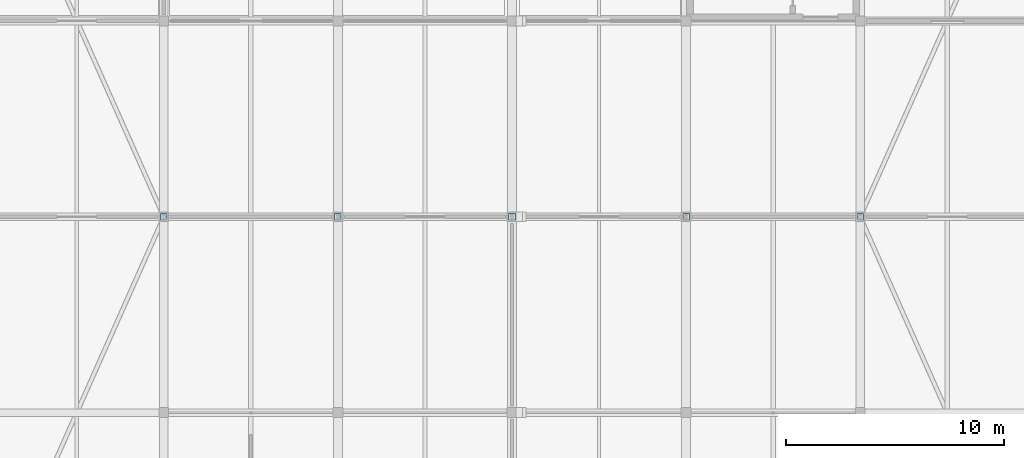
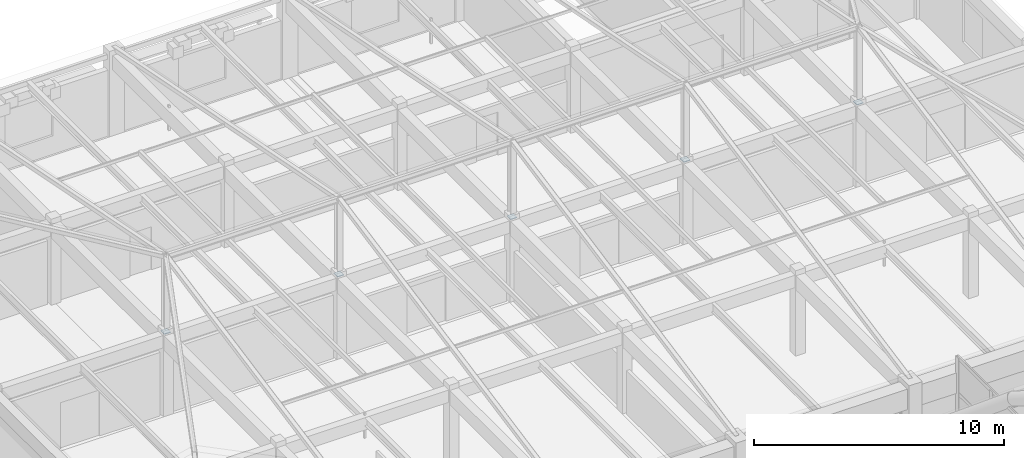
# One storey, part 94 of 126: 5 plates.
"""IFC4 building model written with IfcOpenShell, lengths in metres."""

from ifc_helpers import new_model, si_unit, direction, frame, origin, origin_2d, place, context, subcontext, project, spatial, rectangle, extrude, material, layer, layer_set, type_object, element, save


model = new_model("IFC4")

# Units and contexts
model_context = context("Model", 3, precision=1e-05, world=origin(), true_north=direction((0.0, 1.0)))
body_context = subcontext(model_context, "Body", "Model", "MODEL_VIEW")
ifc_project = project(units=[si_unit("LENGTHUNIT", "METRE"), si_unit("AREAUNIT", "SQUARE_METRE"), si_unit("VOLUMEUNIT", "CUBIC_METRE"), si_unit("PLANEANGLEUNIT", "RADIAN"), si_unit("MASSUNIT", "GRAM", prefix="KILO")], contexts=[model_context])

# Site, building, storey
site_placement = place(None, origin())
site = spatial("IfcSite", under=ifc_project, at=site_placement, CompositionType="ELEMENT")
building_placement = place(site_placement, origin())
building = spatial("IfcBuilding", under=site, at=building_placement, Name="Varnabhumi Central Station", CompositionType="ELEMENT")
storey_placement = place(building_placement, frame((0.0, 0.0, 16.199951171875)))
storey = spatial("IfcBuildingStorey", under=building, at=storey_placement, Name="L03", CompositionType="ELEMENT", Elevation=16.199951171875)

# Plates
ifc_material = material(Name="Structural steel E350", Category="steel")
ifc_layer = layer(ifc_material, 0.050048828125, Name="Structural steel E350", Category="steel")
ifc_layer_set = layer_set([ifc_layer], Name="Structural steel E350")
plate_type = type_object("IfcPlateType", Name="PLT-BASE-1100", PredefinedType="USERDEFINED", material=ifc_layer_set)
for number, where, z_axis, x_axis, name in (
    (1, (104.0, 98.0, 3.9501953125), (0.0, 0.0, 1.0), (1.0, 0.0, 0.0), "Roof Strut Base Plate NW4-2"),
    (2, (112.0, 98.0, 3.9501953125), (0.0, 0.0, 1.0), (1.0, 0.0, 0.0), "Roof Strut Base Plate NW4-3"),
    (3, (120.0, 98.0, 3.9501953125), (0.0, 0.0, 1.0), (1.0, 0.0, 0.0), "Roof Strut Base Plate NW4-4"),
    (4, (128.0, 98.0, 3.9501953125), (0.0, 0.0, 1.0), (1.0, 0.0, 0.0), "Roof Strut Base Plate NW4-5"),
    (5, (136.0, 98.0, 3.9501953125), (0.0, 0.0, 1.0), (1.0, 0.0, 0.0), "Roof Strut Base Plate NW4-6"),
):
    element("IfcPlate", number, at=place(storey_placement, frame(where, z_axis=z_axis, x_axis=x_axis)), inside=storey, type_object=plate_type, Name=name, ObjectType="BASE PLATE", PredefinedType="USERDEFINED", context=body_context, shape_type="SweptSolid", body=[
        extrude(rectangle(XDim=0.300048828125, YDim=0.300048828125, at=origin_2d()), origin(), (0.0, 0.0, 1.0), 0.035888671875),
    ])

save(model, "model.ifc")
